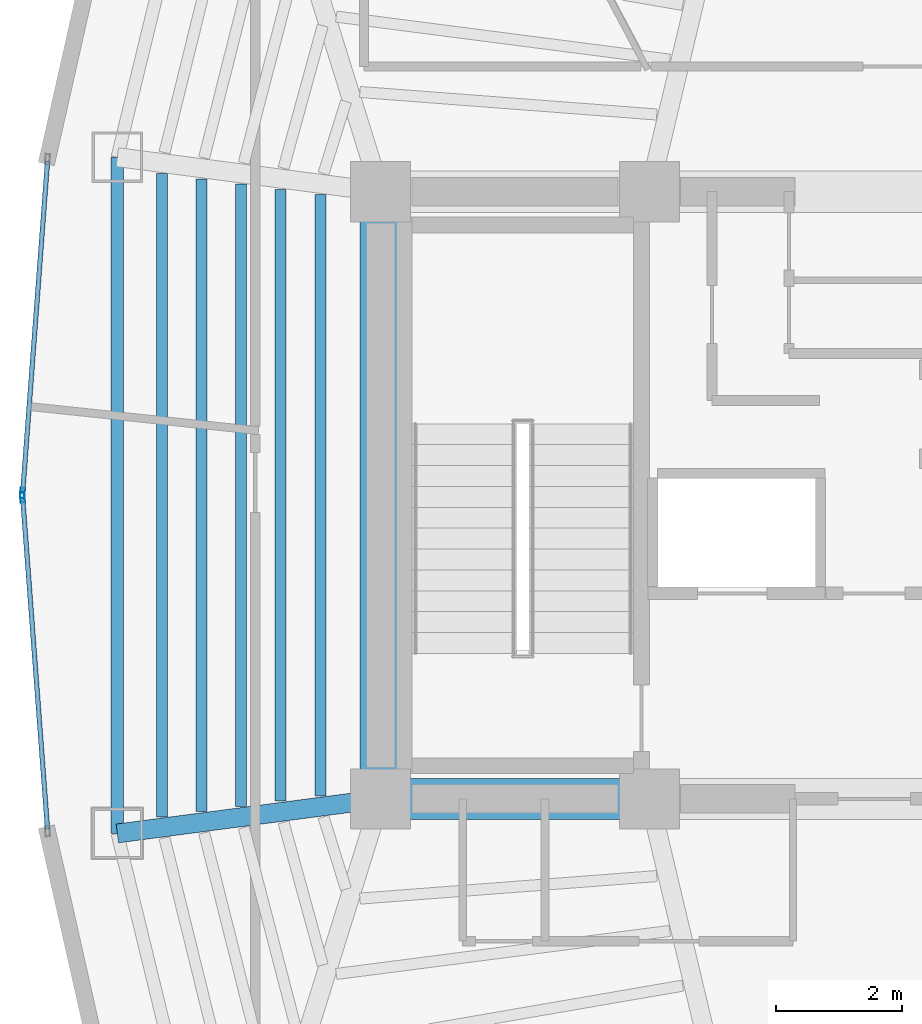
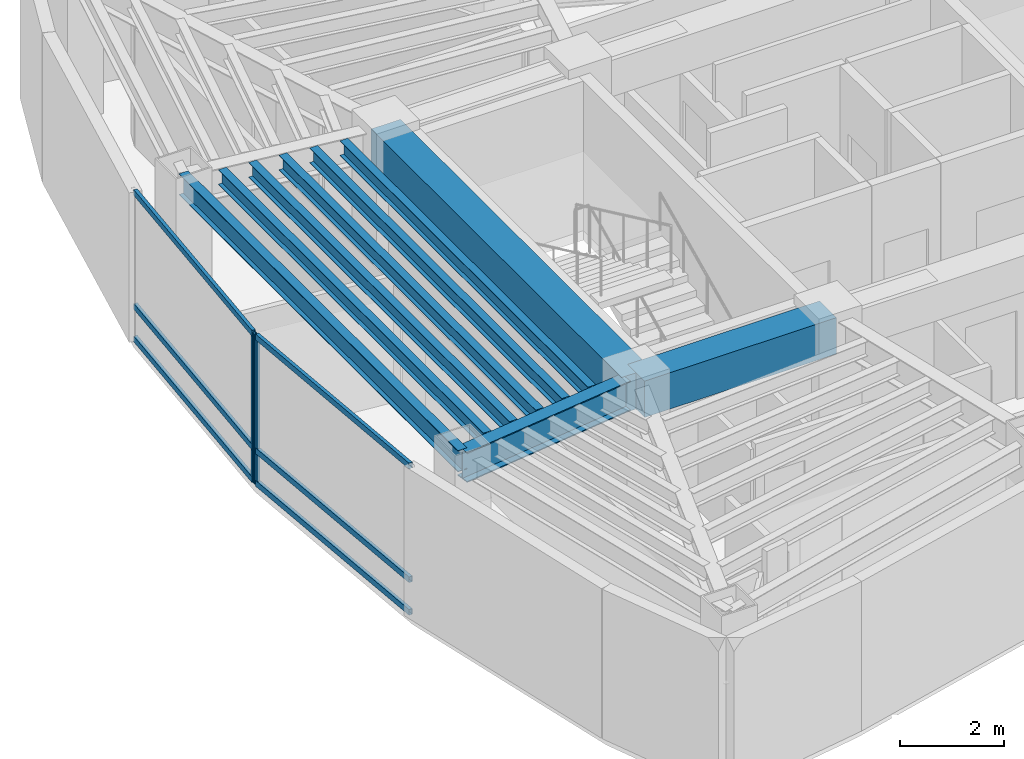
# One storey, part 4 of 15: 9 beams, 8 members, 2 elements without a shape of their own.
"""IFC4 building model written with IfcOpenShell, lengths in metres."""

from ifc_helpers import new_model, si_unit, direction, frame, origin, origin_2d, place, context, subcontext, project, spatial, rectangle, hollow_rectangle, i_section, extrude, material, layer, layer_set, material_profile, profile_set, type_object, element, aggregate, save


model = new_model("IFC4")

# Units and contexts
model_context = context("Model", 3, precision=1e-05, world=origin(), true_north=direction((0.0, 1.0)))
body_context = subcontext(model_context, "Body", "Model", "MODEL_VIEW")
ifc_project = project(units=[si_unit("LENGTHUNIT", "METRE"), si_unit("AREAUNIT", "SQUARE_METRE"), si_unit("VOLUMEUNIT", "CUBIC_METRE"), si_unit("PLANEANGLEUNIT", "RADIAN"), si_unit("MASSUNIT", "GRAM", prefix="KILO")], contexts=[model_context])

# Site, building, storey
site_placement = place(None, origin())
site = spatial("IfcSite", under=ifc_project, at=site_placement, CompositionType="ELEMENT")
building_placement = place(site_placement, origin())
building = spatial("IfcBuilding", under=site, at=building_placement, Name="Menara Vayukalpa", CompositionType="ELEMENT")
storey_placement = place(building_placement, frame((0.0, 0.0, 250.860107421875)))
storey = spatial("IfcBuildingStorey", under=building, at=storey_placement, Name="L63", CompositionType="ELEMENT", Elevation=250.860107421875)

# Beams
ifc_material_1 = material(Name="Concrete C60/75", Category="concrete")
ifc_material_profile_1 = material_profile(ifc_material_1, rectangle(XDim=0.64990234375, YDim=0.85009765625, at=origin_2d()), Name="RC 650x850")
ifc_profile_set_1 = profile_set([ifc_material_profile_1], Name="Concrete C60/75")
beam_type_1 = type_object("IfcBeamType", Name="BM-CB1", PredefinedType="BEAM", material=ifc_profile_set_1)
beam_1_placement = place(storey_placement, frame((17.800048828125, 17.199951171875, 3.074951171875), z_axis=(1.0, 0.0, 0.0), x_axis=(0.0, 1.0, 0.0)))
element("IfcBeam", 1, at=beam_1_placement, inside=storey, type_object=beam_type_1, Name="L63 Core Tie Beam CBR1", PredefinedType="BEAM", context=body_context, shape_type="SweptSolid", body=[
    extrude(rectangle(XDim=0.64990234375, YDim=0.85009765625, at=origin_2d()), origin(), (0.0, 0.0, 1.0), 4.25),
])
beam_2_placement = place(storey_placement, frame((17.800048828125, 17.199951171875, 3.074951171875), z_axis=(0.0, 1.0, 0.0), x_axis=(-1.0, 0.0, 0.0)))
element("IfcBeam", 2, at=beam_2_placement, inside=storey, type_object=beam_type_1, Name="L63 Core Tie Beam CBR7", PredefinedType="BEAM", context=body_context, shape_type="SweptSolid", body=[
    extrude(rectangle(XDim=0.64990234375, YDim=0.85009765625, at=origin_2d()), origin(), (0.0, 0.0, 1.0), 9.60009765625),
])
ifc_material_2 = material(Name="Steel S355", Category="steel")
ifc_material_profile_2 = material_profile(ifc_material_2, i_section(OverallWidth=0.300048828125, OverallDepth=0.699951171875, WebThickness=0.012939453125, FlangeThickness=0.02392578125, at=origin_2d()), Name="WF 700x300x13x24")
ifc_profile_set_2 = profile_set([ifc_material_profile_2], Name="Steel S355")
beam_type_2 = type_object("IfcBeamType", Name="BM-PG5", PredefinedType="BEAM", material=ifc_profile_set_2)
beam_3_placement = place(storey_placement, frame((17.552001953125, 17.16748046875, 3.14990234375), z_axis=(-0.991477860763, -0.130275291662, 0.0), x_axis=(0.130275291662, -0.991477860763, 0.0)))
element("IfcBeam", 3, at=beam_3_placement, inside=storey, type_object=beam_type_2, Name="L63 Primary Radial Girder RG06", PredefinedType="BEAM", context=body_context, shape_type="SweptSolid", body=[
    extrude(i_section(OverallWidth=0.300048828125, OverallDepth=0.699951171875, WebThickness=0.012939453125, FlangeThickness=0.02392578125, at=origin_2d()), origin(), (0.0, 0.0, 1.0), 3.94677734375),
])
ifc_material_3 = material(Name="Steel S355", Category="steel")
ifc_material_profile_3 = material_profile(ifc_material_3, i_section(OverallWidth=0.175048828125, OverallDepth=0.35009765625, WebThickness=0.007080078125, FlangeThickness=0.010986328125, at=origin_2d()), Name="WF 350x175x7x11")
ifc_profile_set_3 = profile_set([ifc_material_profile_3], Name="Steel S355")
beam_type_3 = type_object("IfcBeamType", Name="BM-SJ3", PredefinedType="JOIST", material=ifc_profile_set_3)
beam_4_placement = place(storey_placement, frame((16.84765625, 26.755126953125, 3.324951171875), z_axis=(0.0, -1.0, 0.0), x_axis=(1.0, 0.0, 0.0)))
element("IfcBeam", 4, at=beam_4_placement, inside=storey, type_object=beam_type_3, Name="L63 Secondary Floor Joist SJ05-1", PredefinedType="JOIST", context=body_context, shape_type="SweptSolid", body=[
    extrude(i_section(OverallWidth=0.175048828125, OverallDepth=0.35009765625, WebThickness=0.007080078125, FlangeThickness=0.010986328125, at=origin_2d()), origin(), (0.0, 0.0, 1.0), 9.51025390625),
])
beam_5_placement = place(storey_placement, frame((16.2216796875, 26.83740234375, 3.324951171875), z_axis=(0.0, -1.0, 0.0), x_axis=(1.0, 0.0, 0.0)))
element("IfcBeam", 5, at=beam_5_placement, inside=storey, type_object=beam_type_3, Name="L63 Secondary Floor Joist SJ05-2", PredefinedType="JOIST", context=body_context, shape_type="SweptSolid", body=[
    extrude(i_section(OverallWidth=0.175048828125, OverallDepth=0.35009765625, WebThickness=0.007080078125, FlangeThickness=0.010986328125, at=origin_2d()), origin(), (0.0, 0.0, 1.0), 9.6748046875),
])
beam_6_placement = place(storey_placement, frame((15.595458984375, 26.919677734375, 3.324951171875), z_axis=(0.0, -1.0, 0.0), x_axis=(1.0, 0.0, 0.0)))
element("IfcBeam", 6, at=beam_6_placement, inside=storey, type_object=beam_type_3, Name="L63 Secondary Floor Joist SJ05-3", PredefinedType="JOIST", context=body_context, shape_type="SweptSolid", body=[
    extrude(i_section(OverallWidth=0.175048828125, OverallDepth=0.35009765625, WebThickness=0.007080078125, FlangeThickness=0.010986328125, at=origin_2d()), origin(), (0.0, 0.0, 1.0), 9.83935546875),
])
beam_7_placement = place(storey_placement, frame((14.969482421875, 27.001953125, 3.324951171875), z_axis=(0.0, -1.0, 0.0), x_axis=(1.0, 0.0, 0.0)))
element("IfcBeam", 7, at=beam_7_placement, inside=storey, type_object=beam_type_3, Name="L63 Secondary Floor Joist SJ05-4", PredefinedType="JOIST", context=body_context, shape_type="SweptSolid", body=[
    extrude(i_section(OverallWidth=0.175048828125, OverallDepth=0.35009765625, WebThickness=0.007080078125, FlangeThickness=0.010986328125, at=origin_2d()), origin(), (0.0, 0.0, 1.0), 10.00390625),
])
beam_8_placement = place(storey_placement, frame((14.343505859375, 27.084228515625, 3.324951171875), z_axis=(0.0, -1.0, 0.0), x_axis=(1.0, 0.0, 0.0)))
element("IfcBeam", 8, at=beam_8_placement, inside=storey, type_object=beam_type_3, Name="L63 Secondary Floor Joist SJ05-5", PredefinedType="JOIST", context=body_context, shape_type="SweptSolid", body=[
    extrude(i_section(OverallWidth=0.175048828125, OverallDepth=0.35009765625, WebThickness=0.007080078125, FlangeThickness=0.010986328125, at=origin_2d()), origin(), (0.0, 0.0, 1.0), 10.16845703125),
])
ifc_material_4 = material(Name="Steel S355", Category="steel")
ifc_material_profile_4 = material_profile(ifc_material_4, i_section(OverallWidth=0.199951171875, OverallDepth=0.5, WebThickness=0.010009765625, FlangeThickness=0.01611328125, at=origin_2d()), Name="WF 500x200x10x16")
ifc_profile_set_4 = profile_set([ifc_material_profile_4], Name="Steel S355")
beam_type_4 = type_object("IfcBeamType", Name="BM-SP3", PredefinedType="SPANDREL", material=ifc_profile_set_4)
beam_9_placement = place(storey_placement, frame((13.638916015625, 27.3466796875, 3.25), z_axis=(0.0, -1.0, 0.0), x_axis=(1.0, 0.0, 0.0)))
element("IfcBeam", 9, at=beam_9_placement, inside=storey, type_object=beam_type_4, Name="L63 Perimeter Spandrel Beam SP05", PredefinedType="SPANDREL", context=body_context, shape_type="SweptSolid", body=[
    extrude(i_section(OverallWidth=0.199951171875, OverallDepth=0.5, WebThickness=0.010009765625, FlangeThickness=0.01611328125, at=origin_2d()), origin(), (0.0, 0.0, 1.0), 10.693359375),
])

# Curtain wall, member
ifc_material_5 = material(Name="Anodised Terracotta Aluminium Alloy 6063-T6", Category="masonry")
ifc_layer = layer(ifc_material_5, 0.1650390625)
ifc_layer_set = layer_set([ifc_layer], Name="Anodised Terracotta Aluminium Alloy 6063-T6")
curtain_wall_type = type_object("IfcCurtainWallType", Name="CW-CW6", PredefinedType="USERDEFINED", material=ifc_layer_set)
curtain_wall_1_placement = place(storey_placement, origin())
curtain_wall_1 = element("IfcCurtainWall", 10, at=curtain_wall_1_placement, inside=storey, type_object=curtain_wall_type, Name="L63 Observation and Executive Curtain Wall CW6 10", ObjectType="UNITISED", PredefinedType="USERDEFINED")
ifc_material_6 = material(Name="Anodised Terracotta Aluminium Alloy 6063-T6", Category="masonry")
ifc_material_profile_5 = material_profile(ifc_material_6, hollow_rectangle(XDim=0.070068359375, YDim=0.1650390625, WallThickness=0.00390625, at=origin_2d()), Name="ALU 70x165x4")
ifc_profile_set_5 = profile_set([ifc_material_profile_5], Name="Anodised Terracotta Aluminium Alloy 6063-T6")
member_type_1 = type_object("IfcMemberType", Name="CWM-CW6", PredefinedType="MULLION", material=ifc_profile_set_5)
member_1_placement = place(storey_placement, frame((12.140625, 22.034912109375, 0.0), z_axis=(0.0, 0.0, 1.0), x_axis=(0.997199344663, -0.074789484574, 0.0)))
member_1 = element("IfcMember", 11, at=member_1_placement, type_object=member_type_1, Name="CW6 mullion 2", PredefinedType="MULLION", context=body_context, shape_type="SweptSolid", body=[
    extrude(hollow_rectangle(XDim=0.070068359375, YDim=0.1650390625, WallThickness=0.00390625, at=origin_2d()), origin(), (0.0, 0.0, 1.0), 3.5),
])

curtain_wall_2_placement = place(storey_placement, origin())
curtain_wall_2 = element("IfcCurtainWall", 12, at=curtain_wall_2_placement, inside=storey, type_object=curtain_wall_type, Name="L63 Observation and Executive Curtain Wall CW6 11", ObjectType="UNITISED", PredefinedType="USERDEFINED")
member_2_placement = place(storey_placement, frame((12.140625, 21.965087890625, 0.0), z_axis=(0.0, 0.0, 1.0), x_axis=(0.997199344663, 0.074789484574, 0.0)))
member_2 = element("IfcMember", 13, at=member_2_placement, type_object=member_type_1, Name="CW6 mullion 1", PredefinedType="MULLION", context=body_context, shape_type="SweptSolid", body=[
    extrude(hollow_rectangle(XDim=0.070068359375, YDim=0.1650390625, WallThickness=0.00390625, at=origin_2d()), origin(), (0.0, 0.0, 1.0), 3.5),
])

# Member
ifc_material_7 = material(Name="Anodised Terracotta Aluminium Alloy 6063-T6", Category="masonry")
ifc_material_profile_6 = material_profile(ifc_material_7, hollow_rectangle(XDim=0.074951171875, YDim=0.135009765625, WallThickness=0.00390625, at=origin_2d()), Name="ALU 75x135x4")
ifc_profile_set_6 = profile_set([ifc_material_profile_6], Name="Anodised Terracotta Aluminium Alloy 6063-T6")
member_type_2 = type_object("IfcMemberType", Name="CWT-CW6", PredefinedType="USERDEFINED", material=ifc_profile_set_6)
member_3_placement = place(storey_placement, frame((12.53369140625, 27.27685546875, 0.037353515625), z_axis=(-0.074762051827, -0.997201401727, 0.0), x_axis=(0.997201401727, -0.074762051827, 0.0)))
member_3 = element("IfcMember", 14, at=member_3_placement, type_object=member_type_2, Name="CW6 transom 1.1", ObjectType="TRANSOM", PredefinedType="USERDEFINED", context=body_context, shape_type="SweptSolid", body=[
    extrude(hollow_rectangle(XDim=0.074951171875, YDim=0.135009765625, WallThickness=0.00390625, at=origin_2d()), origin(), (0.0, 0.0, 1.0), 5.2216796875),
])

member_4_placement = place(storey_placement, frame((12.53369140625, 27.27685546875, 0.7998046875), z_axis=(-0.074762051827, -0.997201401727, 0.0), x_axis=(0.997201401727, -0.074762051827, 0.0)))
member_4 = element("IfcMember", 15, at=member_4_placement, type_object=member_type_2, Name="CW6 transom 1.2", ObjectType="TRANSOM", PredefinedType="USERDEFINED", context=body_context, shape_type="SweptSolid", body=[
    extrude(hollow_rectangle(XDim=0.074951171875, YDim=0.135009765625, WallThickness=0.00390625, at=origin_2d()), origin(), (0.0, 0.0, 1.0), 5.2216796875),
])

member_5_placement = place(storey_placement, frame((12.53369140625, 27.27685546875, 3.46240234375), z_axis=(-0.074762051827, -0.997201401727, 0.0), x_axis=(0.997201401727, -0.074762051827, 0.0)))
member_5 = element("IfcMember", 16, at=member_5_placement, type_object=member_type_2, Name="CW6 transom 1.3", ObjectType="TRANSOM", PredefinedType="USERDEFINED", context=body_context, shape_type="SweptSolid", body=[
    extrude(hollow_rectangle(XDim=0.074951171875, YDim=0.135009765625, WallThickness=0.00390625, at=origin_2d()), origin(), (0.0, 0.0, 1.0), 5.2216796875),
])

aggregate(curtain_wall_1, [member_1, member_3, member_4, member_5])

member_6_placement = place(storey_placement, frame((12.143310546875, 21.93017578125, 0.037353515625), z_axis=(0.074762051827, -0.997201401727, 0.0), x_axis=(0.997201401727, 0.074762051827, 0.0)))
member_6 = element("IfcMember", 17, at=member_6_placement, type_object=member_type_2, Name="CW6 transom 1.1", ObjectType="TRANSOM", PredefinedType="USERDEFINED", context=body_context, shape_type="SweptSolid", body=[
    extrude(hollow_rectangle(XDim=0.074951171875, YDim=0.135009765625, WallThickness=0.00390625, at=origin_2d()), origin(), (0.0, 0.0, 1.0), 5.2216796875),
])

member_7_placement = place(storey_placement, frame((12.143310546875, 21.93017578125, 0.7998046875), z_axis=(0.074762051827, -0.997201401727, 0.0), x_axis=(0.997201401727, 0.074762051827, 0.0)))
member_7 = element("IfcMember", 18, at=member_7_placement, type_object=member_type_2, Name="CW6 transom 1.2", ObjectType="TRANSOM", PredefinedType="USERDEFINED", context=body_context, shape_type="SweptSolid", body=[
    extrude(hollow_rectangle(XDim=0.074951171875, YDim=0.135009765625, WallThickness=0.00390625, at=origin_2d()), origin(), (0.0, 0.0, 1.0), 5.2216796875),
])

member_8_placement = place(storey_placement, frame((12.143310546875, 21.93017578125, 3.46240234375), z_axis=(0.074762051827, -0.997201401727, 0.0), x_axis=(0.997201401727, 0.074762051827, 0.0)))
member_8 = element("IfcMember", 19, at=member_8_placement, type_object=member_type_2, Name="CW6 transom 1.3", ObjectType="TRANSOM", PredefinedType="USERDEFINED", context=body_context, shape_type="SweptSolid", body=[
    extrude(hollow_rectangle(XDim=0.074951171875, YDim=0.135009765625, WallThickness=0.00390625, at=origin_2d()), origin(), (0.0, 0.0, 1.0), 5.2216796875),
])

aggregate(curtain_wall_2, [member_2, member_6, member_7, member_8])

save(model, "model.ifc")
